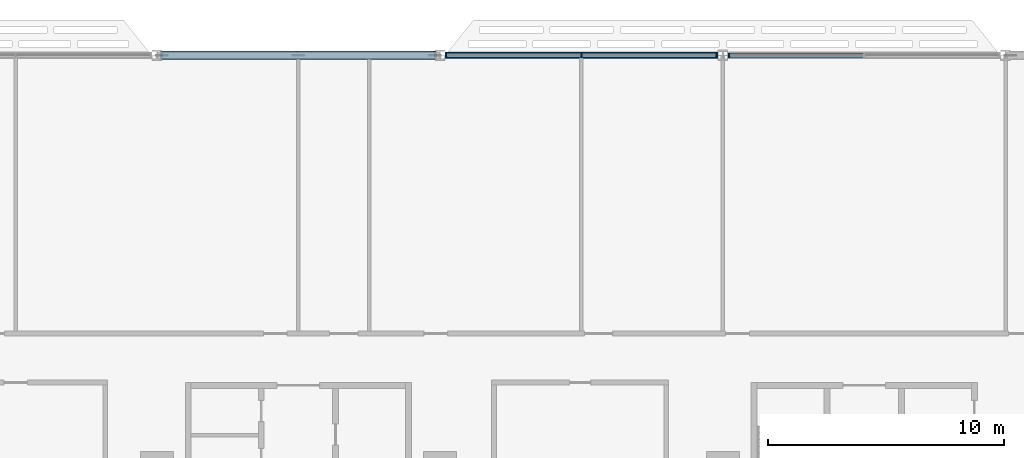
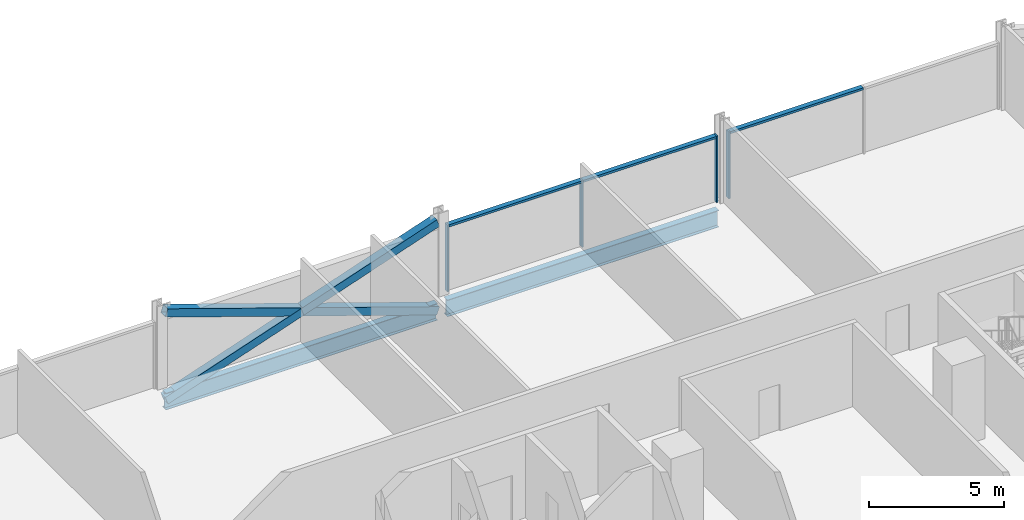
# One storey, part 7 of 29: 10 members, 2 beams, 2 elements without a shape of their own.
"""IFC4 building model written with IfcOpenShell, lengths in metres."""

from ifc_helpers import new_model, si_unit, direction, frame, origin, origin_2d, place, context, subcontext, project, spatial, rectangle, hollow_rectangle, i_section, extrude, material, material_profile, profile_set, type_object, element, aggregate, save


model = new_model("IFC4")

# Units and contexts
model_context = context("Model", 3, precision=1e-05, world=origin(), true_north=direction((0.0, 1.0)))
body_context = subcontext(model_context, "Body", "Model", "MODEL_VIEW")
ifc_project = project(units=[si_unit("LENGTHUNIT", "METRE"), si_unit("AREAUNIT", "SQUARE_METRE"), si_unit("VOLUMEUNIT", "CUBIC_METRE"), si_unit("PLANEANGLEUNIT", "RADIAN"), si_unit("MASSUNIT", "GRAM", prefix="KILO")], contexts=[model_context])

# Site, building, storey
site_placement = place(None, origin())
site = spatial("IfcSite", under=ifc_project, at=site_placement, CompositionType="ELEMENT")
building_placement = place(site_placement, origin())
building = spatial("IfcBuilding", under=site, at=building_placement, Name="Mahtab Terrace Research Tower", CompositionType="ELEMENT")
storey_placement = place(building_placement, frame((0.0, 0.0, 88.89990234375)))
storey = spatial("IfcBuildingStorey", under=building, at=storey_placement, Name="L20", CompositionType="ELEMENT", Elevation=88.89990234375)

# Members
ifc_material_1 = material(Name="Steel ASTM A500 Gr C", Category="steel")
ifc_material_profile_1 = material_profile(ifc_material_1, hollow_rectangle(XDim=0.355712890625, YDim=0.355712890625, WallThickness=0.01904296875, at=origin_2d()), Name="HSS14X14X3/4")
ifc_profile_set_1 = profile_set([ifc_material_profile_1], Name="Steel ASTM A500 Gr C")
member_type_1 = type_object("IfcMemberType", Name="HSS 14x14x3/4 brace XB141434", PredefinedType="BRACE", material=ifc_profile_set_1)
member_1_placement = place(storey_placement, frame((5.79052734375, 29.0, -0.646728515625), z_axis=(-0.946292853795, 0.0, 0.323310740397), x_axis=(0.0, -1.0, 0.0)))
element("IfcMember", 1, at=member_1_placement, inside=storey, type_object=member_type_1, Name="Exoskeleton brace L20 05 a", PredefinedType="BRACE", context=body_context, shape_type="SweptSolid", body=[
    extrude(hollow_rectangle(XDim=0.355712890625, YDim=0.355712890625, WallThickness=0.01904296875, at=origin_2d()), origin(), (0.0, 0.0, 1.0), 12.23828125),
])
for number, where, z_axis, x_axis, name in (
    (2, (-5.79052734375, 29.0, -0.646728515625), (0.946298956945, 0.0, 0.323292876639), (0.0, 1.0, 0.0), "Exoskeleton brace L20 05 b1"),
    (3, (0.0, 29.0, 1.33154296875), (0.946286750388, 0.0, 0.323328603809), (0.0, 1.0, 0.0), "Exoskeleton brace L20 05 b2"),
):
    element("IfcMember", number, at=place(storey_placement, frame(where, z_axis=z_axis, x_axis=x_axis)), inside=storey, type_object=member_type_1, Name=name, PredefinedType="BRACE", context=body_context, shape_type="SweptSolid", body=[
        extrude(hollow_rectangle(XDim=0.355712890625, YDim=0.355712890625, WallThickness=0.01904296875, at=origin_2d()), origin(), (0.0, 0.0, 1.0), 6.119140625),
    ])

# Curtain wall, member
ifc_material_2 = material(Name="Laboratory ribbon curtain wall")
curtain_wall_type = type_object("IfcCurtainWallType", Name="Laboratory ribbon curtain wall", PredefinedType="NOTDEFINED", material=ifc_material_2)
curtain_wall_1_placement = place(storey_placement, origin())
curtain_wall_1 = element("IfcCurtainWall", 4, at=curtain_wall_1_placement, inside=storey, type_object=curtain_wall_type, Name="EN.L20.3.5", PredefinedType="NOTDEFINED")
ifc_material_3 = material(Name="Natural anodised aluminium", Category="aluminium")
ifc_material_profile_2 = material_profile(ifc_material_3, rectangle(XDim=0.199951171875, YDim=0.06494140625, at=origin_2d()), Name="MULLION 65x200")
ifc_profile_set_2 = profile_set([ifc_material_profile_2], Name="Natural anodised aluminium")
member_type_2 = type_object("IfcMemberType", Name="Laboratory ribbon curtain wall mullion", PredefinedType="MULLION", material=ifc_profile_set_2)
member_2_placement = place(storey_placement, frame((18.260498046875, 29.0, 0.0), z_axis=(0.0, 0.0, 1.0), x_axis=(0.0, -1.0, 0.0)))
member_2 = element("IfcMember", 5, at=member_2_placement, type_object=member_type_2, Name="CWL-3 mullion 3", PredefinedType="MULLION", context=body_context, shape_type="SweptSolid", body=[
    extrude(rectangle(XDim=0.199951171875, YDim=0.06494140625, at=origin_2d()), origin(), (0.0, 0.0, 1.0), 3.003173828125),
])

# Curtain wall, members
curtain_wall_2_placement = place(storey_placement, origin())
curtain_wall_2 = element("IfcCurtainWall", 6, at=curtain_wall_2_placement, inside=storey, type_object=curtain_wall_type, Name="EN.L20.3.6", PredefinedType="NOTDEFINED")
member_3_placement = place(storey_placement, frame((17.739501953125, 29.0, 0.0), z_axis=(0.0, 0.0, 1.0), x_axis=(0.0, -1.0, 0.0)))
member_3 = element("IfcMember", 7, at=member_3_placement, type_object=member_type_2, Name="CWL-3 mullion 1", PredefinedType="MULLION", context=body_context, shape_type="SweptSolid", body=[
    extrude(rectangle(XDim=0.199951171875, YDim=0.06494140625, at=origin_2d()), origin(), (0.0, 0.0, 1.0), 3.003173828125),
])
member_4_placement = place(storey_placement, frame((12.0, 29.0, 0.0), z_axis=(0.0, 0.0, 1.0), x_axis=(0.0, -1.0, 0.0)))
member_4 = element("IfcMember", 8, at=member_4_placement, type_object=member_type_2, Name="CWL-3 mullion 2", PredefinedType="MULLION", context=body_context, shape_type="SweptSolid", body=[
    extrude(rectangle(XDim=0.199951171875, YDim=0.06494140625, at=origin_2d()), origin(), (0.0, 0.0, 1.0), 3.003173828125),
])
member_5_placement = place(storey_placement, frame((6.260498046875, 29.0, 0.0), z_axis=(0.0, 0.0, 1.0), x_axis=(0.0, -1.0, 0.0)))
member_5 = element("IfcMember", 9, at=member_5_placement, type_object=member_type_2, Name="CWL-3 mullion 3", PredefinedType="MULLION", context=body_context, shape_type="SweptSolid", body=[
    extrude(rectangle(XDim=0.199951171875, YDim=0.06494140625, at=origin_2d()), origin(), (0.0, 0.0, 1.0), 3.003173828125),
])

# Member
ifc_material_profile_3 = material_profile(ifc_material_3, rectangle(XDim=0.199951171875, YDim=0.10009765625, at=origin_2d()), Name="TRANSOM 100x200")
ifc_profile_set_3 = profile_set([ifc_material_profile_3], Name="Natural anodised aluminium")
member_type_3 = type_object("IfcMemberType", Name="Laboratory ribbon curtain wall transom", PredefinedType="USERDEFINED", material=ifc_profile_set_3)
member_6_placement = place(storey_placement, frame((23.967529296875, 29.0, 2.953125), z_axis=(-1.0, 0.0, 0.0), x_axis=(0.0, -1.0, 0.0)))
member_6 = element("IfcMember", 10, at=member_6_placement, type_object=member_type_3, Name="CWL-3 transom 2", ObjectType="TRANSOM", PredefinedType="USERDEFINED", context=body_context, shape_type="SweptSolid", body=[
    extrude(rectangle(XDim=0.199951171875, YDim=0.10009765625, at=origin_2d()), origin(), (0.0, 0.0, 1.0), 5.674560546875),
])

aggregate(curtain_wall_1, [member_2, member_6])

member_7_placement = place(storey_placement, frame((17.70703125, 29.0, 2.953125), z_axis=(-1.0, 0.0, 0.0), x_axis=(0.0, -1.0, 0.0)))
member_7 = element("IfcMember", 11, at=member_7_placement, type_object=member_type_3, Name="CWL-3 transom 1", ObjectType="TRANSOM", PredefinedType="USERDEFINED", context=body_context, shape_type="SweptSolid", body=[
    extrude(rectangle(XDim=0.199951171875, YDim=0.10009765625, at=origin_2d()), origin(), (0.0, 0.0, 1.0), 5.674560546875),
])

member_8_placement = place(storey_placement, frame((11.967529296875, 29.0, 2.953125), z_axis=(-1.0, 0.0, 0.0), x_axis=(0.0, -1.0, 0.0)))
member_8 = element("IfcMember", 12, at=member_8_placement, type_object=member_type_3, Name="CWL-3 transom 2", ObjectType="TRANSOM", PredefinedType="USERDEFINED", context=body_context, shape_type="SweptSolid", body=[
    extrude(rectangle(XDim=0.199951171875, YDim=0.10009765625, at=origin_2d()), origin(), (0.0, 0.0, 1.0), 5.674560546875),
])

aggregate(curtain_wall_2, [member_3, member_4, member_5, member_7, member_8])

# Beams
ifc_material_4 = material(Name="Steel ASTM A992 Gr 50", Category="steel")
ifc_material_profile_4 = material_profile(ifc_material_4, i_section(OverallWidth=0.2666015625, OverallDepth=0.7568359375, WebThickness=0.013916015625, FlangeThickness=0.019287109375, at=origin_2d()), Name="W30X108")
ifc_profile_set_4 = profile_set([ifc_material_profile_4], Name="Steel ASTM A992 Gr 50")
beam_type = type_object("IfcBeamType", Name="W30x108 beam BS30108", PredefinedType="BEAM", material=ifc_profile_set_4)
for number, where, z_axis, x_axis, name in (
    (13, (17.79052734375, 29.0, -0.71826171875), (-1.0, 0.0, 0.0), (0.0, -1.0, 0.0), "Spandrel beam L20 04"),
    (14, (5.79052734375, 29.0, -0.71826171875), (-1.0, 0.0, 0.0), (0.0, -1.0, 0.0), "Spandrel beam L20 05"),
):
    element("IfcBeam", number, at=place(storey_placement, frame(where, z_axis=z_axis, x_axis=x_axis)), inside=storey, type_object=beam_type, Name=name, PredefinedType="BEAM", context=body_context, shape_type="SweptSolid", body=[
        extrude(i_section(OverallWidth=0.2666015625, OverallDepth=0.7568359375, WebThickness=0.013916015625, FlangeThickness=0.019287109375, at=origin_2d()), origin(), (0.0, 0.0, 1.0), 11.5810546875),
    ])

save(model, "model.ifc")
